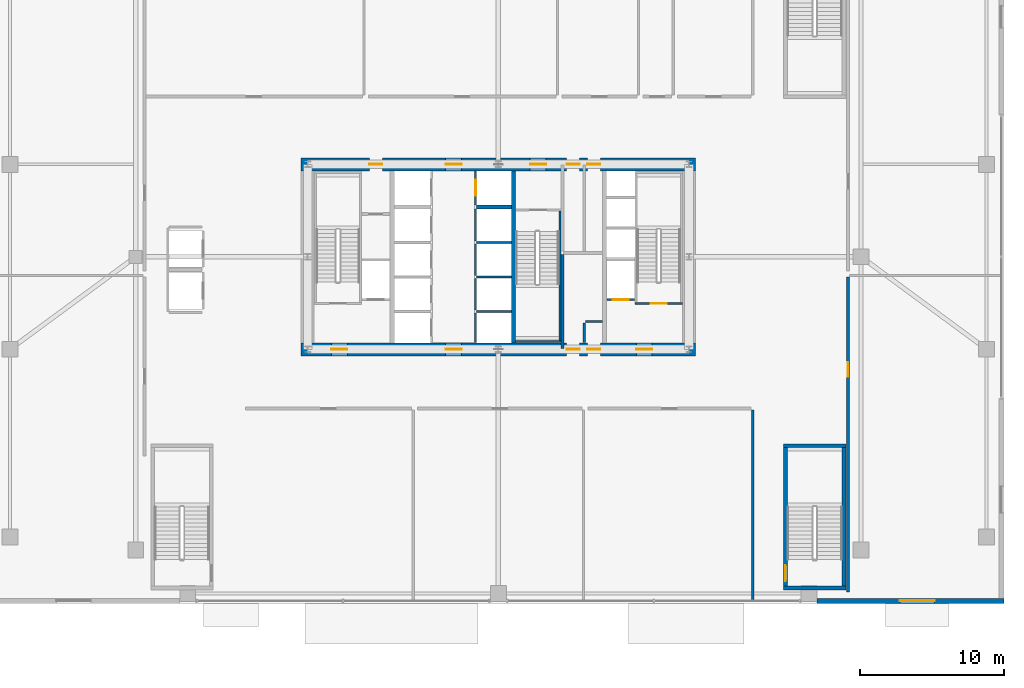
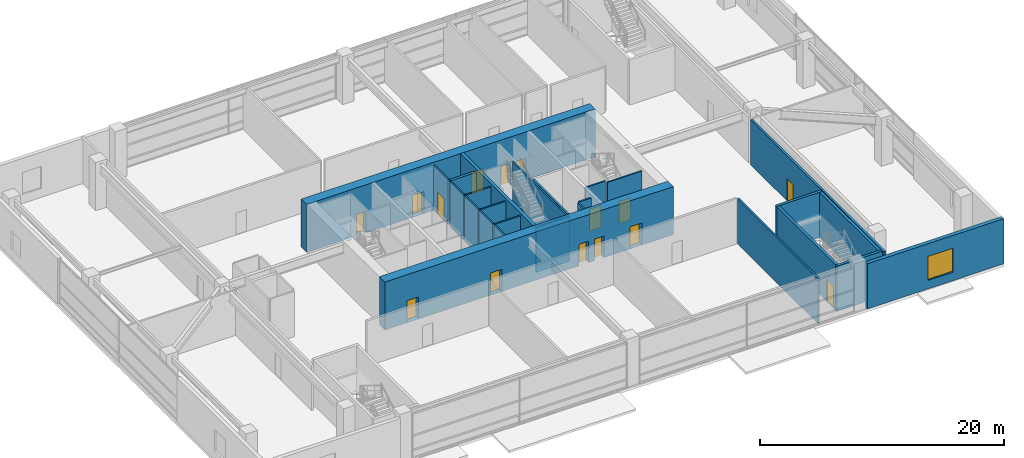
# One storey, part 32 of 37: 26 walls, 15 doors, 1 window, 16 openings.
"""IFC4 building model written with IfcOpenShell, lengths in metres."""

from ifc_helpers import new_model, si_unit, direction, frame, frame_2d, origin, place, context, subcontext, project, spatial, rectangle, extrude, source, transform, mapped, material, layer, layer_set, type_object, element, fill, save


model = new_model("IFC4")

# Units and contexts
model_context = context("Model", 3, precision=1e-05, world=origin(), true_north=direction((0.0, 1.0)))
body_context = subcontext(model_context, "Body", "Model", "MODEL_VIEW")
ifc_project = project(units=[si_unit("LENGTHUNIT", "METRE"), si_unit("AREAUNIT", "SQUARE_METRE"), si_unit("VOLUMEUNIT", "CUBIC_METRE"), si_unit("PLANEANGLEUNIT", "RADIAN"), si_unit("MASSUNIT", "GRAM", prefix="KILO"), si_unit("THERMODYNAMICTEMPERATUREUNIT", "KELVIN"), si_unit("POWERUNIT", "WATT")], contexts=[model_context])

# Site, building, storey
site_placement = place(None, origin())
site = spatial("IfcSite", under=ifc_project, at=site_placement, CompositionType="ELEMENT")
building_placement = place(site_placement, origin())
building = spatial("IfcBuilding", under=site, at=building_placement, Name="Yuzanri Waterfront Tower", CompositionType="ELEMENT")
storey_placement = place(building_placement, frame((0.0, 0.0, 5.39990234375)))
storey = spatial("IfcBuildingStorey", under=building, at=storey_placement, Name="L02", CompositionType="ELEMENT", Elevation=5.39990234375)

# Wall, openings, doors
ifc_material_1 = material(Name="Concrete C60", Category="concrete")
ifc_layer_1 = layer(ifc_material_1, 0.89990234375)
ifc_layer_set_1 = layer_set([ifc_layer_1], Name="Concrete C60")
wall_type_1 = type_object("IfcWallType", Name="Concrete C60 Lower Zone Core Shear Wall 900", PredefinedType="SHEAR", material=ifc_layer_set_1)
wall_1_placement = place(storey_placement, frame((23.35009765625, 19.39990234375, 0.0), z_axis=(0.0, 0.0, 1.0), x_axis=(1.0, 0.0, 0.0)))
wall_1 = element("IfcWall", 1, at=wall_1_placement, inside=storey, type_object=wall_type_1, Name="L02 Core South Shear Wall", PredefinedType="SHEAR", context=body_context, shape_type="SweptSolid", body=[
    extrude(rectangle(XDim=27.2998046875, YDim=0.89990234375, at=frame_2d((13.64990234375, 0.0))), origin(), (0.0, 0.0, 1.0), 4.800048828125),
])
opening_1_placement = place(wall_1_placement, frame((2.10009765625, 0.0, 0.0)))
opening_1 = element("IfcOpeningElement", 2, at=opening_1_placement, cuts=wall_1, Name="Opening FD-1100", PredefinedType="OPENING", context=body_context, shape_type="SweptSolid", body=[
    extrude(rectangle(XDim=1.10009765625, YDim=2.199951171875, at=frame_2d((0.550048828125, 1.10009765625))), frame((0.0, 0.46484375, 0.0), z_axis=(0.0, -1.0, 0.0), x_axis=(1.0, 0.0, 0.0)), (0.0, 0.0, 1.0), 0.9296875),
])
opening_2_placement = place(wall_1_placement, frame((10.0, 0.0, 0.0)))
opening_2 = element("IfcOpeningElement", 3, at=opening_2_placement, cuts=wall_1, Name="Opening FD-1100", PredefinedType="OPENING", context=body_context, shape_type="SweptSolid", body=[
    extrude(rectangle(XDim=1.10009765625, YDim=2.199951171875, at=frame_2d((0.550048828125, 1.10009765625))), frame((0.0, 0.46484375, 0.0), z_axis=(0.0, -1.0, 0.0), x_axis=(1.0, 0.0, 0.0)), (0.0, 0.0, 1.0), 0.9296875),
])
opening_3_placement = place(wall_1_placement, frame((23.199951171875, 0.0, 0.0)))
opening_3 = element("IfcOpeningElement", 4, at=opening_3_placement, cuts=wall_1, Name="Opening FD-1100", PredefinedType="OPENING", context=body_context, shape_type="SweptSolid", body=[
    extrude(rectangle(XDim=1.10009765625, YDim=2.199951171875, at=frame_2d((0.550048828125, 1.10009765625))), frame((0.0, 0.46484375, 0.0), z_axis=(0.0, -1.0, 0.0), x_axis=(1.0, 0.0, 0.0)), (0.0, 0.0, 1.0), 0.9296875),
])
opening_4_placement = place(wall_1_placement, frame((19.820068359375, 0.0, 0.0)))
opening_4 = element("IfcOpeningElement", 5, at=opening_4_placement, cuts=wall_1, Name="Opening FD-0900", PredefinedType="OPENING", context=body_context, shape_type="SweptSolid", body=[
    extrude(rectangle(XDim=0.89990234375, YDim=2.14990234375, at=frame_2d((0.449951171875, 1.074951171875))), frame((0.0, 0.46484375, 0.0), z_axis=(0.0, -1.0, 0.0), x_axis=(1.0, 0.0, 0.0)), (0.0, 0.0, 1.0), 0.9296875),
])
opening_5_placement = place(wall_1_placement, frame((18.3798828125, 0.0, 0.0)))
opening_5 = element("IfcOpeningElement", 6, at=opening_5_placement, cuts=wall_1, Name="Opening FD-0900", PredefinedType="OPENING", context=body_context, shape_type="SweptSolid", body=[
    extrude(rectangle(XDim=0.89990234375, YDim=2.14990234375, at=frame_2d((0.449951171875, 1.074951171875))), frame((0.0, 0.46484375, 0.0), z_axis=(0.0, -1.0, 0.0), x_axis=(1.0, 0.0, 0.0)), (0.0, 0.0, 1.0), 0.9296875),
])
ifc_material_2 = material(Name="Painted Galvanized Fire Steel", Category="steel")
door_type_1 = type_object("IfcDoorType", Name="Smoke-Proof Stair and Lobby Fire Door 1100x2200", OperationType="NOTDEFINED", PredefinedType="DOOR", material=ifc_material_2)
shared_shape_1 = source(origin(), body_context, "Body", "SweptSolid", [
    extrude(rectangle(XDim=1.10009765625, YDim=2.199951171875, at=frame_2d((0.550048828125, 1.10009765625))), frame((0.0, 0.02490234375, 0.0), z_axis=(0.0, -1.0, 0.0), x_axis=(1.0, 0.0, 0.0)), (0.0, 0.0, 1.0), 0.050048828125),
])
door_1_placement = place(opening_1_placement, origin())
door_1 = element("IfcDoor", 7, at=door_1_placement, inside=storey, type_object=door_type_1, Name="L02 West Firefighting Lobby Door", OperationType="SINGLE_SWING_LEFT", OverallHeight=2.199951171875, OverallWidth=1.10009765625, PredefinedType="DOOR", context=body_context, shape_type="MappedRepresentation", body=[
    mapped(shared_shape_1, transform((0.0, 0.0, 0.0), scale=1.0)),
])
fill(opening_1, door_1)
door_2_placement = place(opening_2_placement, origin())
door_2 = element("IfcDoor", 8, at=door_2_placement, inside=storey, type_object=door_type_1, Name="L02 Central Lift Lobby South Door", OperationType="SINGLE_SWING_RIGHT", OverallHeight=2.199951171875, OverallWidth=1.10009765625, PredefinedType="DOOR", context=body_context, shape_type="MappedRepresentation", body=[
    mapped(shared_shape_1, transform((0.0, 0.0, 0.0), scale=1.0)),
])
fill(opening_2, door_2)
door_3_placement = place(opening_3_placement, origin())
door_3 = element("IfcDoor", 9, at=door_3_placement, inside=storey, type_object=door_type_1, Name="L02 East Firefighting Lobby Door", OperationType="SINGLE_SWING_LEFT", OverallHeight=2.199951171875, OverallWidth=1.10009765625, PredefinedType="DOOR", context=body_context, shape_type="MappedRepresentation", body=[
    mapped(shared_shape_1, transform((0.0, 0.0, 0.0), scale=1.0)),
])
fill(opening_3, door_3)
ifc_material_3 = material(Name="Painted Galvanized Fire Steel", Category="steel")
door_type_2 = type_object("IfcDoorType", Name="Riser and Service Room Fire Door 900x2150", OperationType="NOTDEFINED", PredefinedType="DOOR", material=ifc_material_3)
shared_shape_2 = source(origin(), body_context, "Body", "SweptSolid", [
    extrude(rectangle(XDim=0.89990234375, YDim=2.14990234375, at=frame_2d((0.449951171875, 1.074951171875))), frame((0.0, 0.02490234375, 0.0), z_axis=(0.0, -1.0, 0.0), x_axis=(1.0, 0.0, 0.0)), (0.0, 0.0, 1.0), 0.050048828125),
])
door_4_placement = place(opening_4_placement, origin())
door_4 = element("IfcDoor", 10, at=door_4_placement, inside=storey, type_object=door_type_2, Name="L02 East Wet Riser Door", OperationType="SINGLE_SWING_RIGHT", OverallHeight=2.14990234375, OverallWidth=0.89990234375, PredefinedType="DOOR", context=body_context, shape_type="MappedRepresentation", body=[
    mapped(shared_shape_2, transform((0.0, 0.0, 0.0), scale=1.0)),
])
fill(opening_4, door_4)
door_5_placement = place(opening_5_placement, origin())
door_5 = element("IfcDoor", 11, at=door_5_placement, inside=storey, type_object=door_type_2, Name="L02 Cleaners Store Room", OperationType="SINGLE_SWING_LEFT", OverallHeight=2.14990234375, OverallWidth=0.89990234375, PredefinedType="DOOR", context=body_context, shape_type="MappedRepresentation", body=[
    mapped(shared_shape_2, transform((0.0, 0.0, 0.0), scale=1.0)),
])
fill(opening_5, door_5)

wall_2_placement = place(storey_placement, frame((23.35009765625, 32.199951171875, 0.0), z_axis=(0.0, 0.0, 1.0), x_axis=(1.0, 0.0, 0.0)))
wall_2 = element("IfcWall", 12, at=wall_2_placement, inside=storey, type_object=wall_type_1, Name="L02 Core North Shear Wall", PredefinedType="SHEAR", context=body_context, shape_type="SweptSolid", body=[
    extrude(rectangle(XDim=27.2998046875, YDim=0.89990234375, at=frame_2d((13.64990234375, 0.0))), origin(), (0.0, 0.0, 1.0), 4.800048828125),
])
opening_6_placement = place(wall_2_placement, frame((4.719970703125, 0.0, 0.0)))
opening_6 = element("IfcOpeningElement", 13, at=opening_6_placement, cuts=wall_2, Name="Opening FD-0900", PredefinedType="OPENING", context=body_context, shape_type="SweptSolid", body=[
    extrude(rectangle(XDim=0.89990234375, YDim=2.14990234375, at=frame_2d((0.449951171875, 1.074951171875))), frame((0.0, 0.46484375, 0.0), z_axis=(0.0, -1.0, 0.0), x_axis=(1.0, 0.0, 0.0)), (0.0, 0.0, 1.0), 0.9296875),
])
opening_7_placement = place(wall_2_placement, frame((10.0, 0.0, 0.0)))
opening_7 = element("IfcOpeningElement", 14, at=opening_7_placement, cuts=wall_2, Name="Opening FD-1100", PredefinedType="OPENING", context=body_context, shape_type="SweptSolid", body=[
    extrude(rectangle(XDim=1.10009765625, YDim=2.199951171875, at=frame_2d((0.550048828125, 1.10009765625))), frame((0.0, 0.46484375, 0.0), z_axis=(0.0, -1.0, 0.0), x_axis=(1.0, 0.0, 0.0)), (0.0, 0.0, 1.0), 0.9296875),
])
opening_8_placement = place(wall_2_placement, frame((15.85009765625, 0.0, 0.0)))
opening_8 = element("IfcOpeningElement", 15, at=opening_8_placement, cuts=wall_2, Name="Opening FD-1100", PredefinedType="OPENING", context=body_context, shape_type="SweptSolid", body=[
    extrude(rectangle(XDim=1.10009765625, YDim=2.199951171875, at=frame_2d((0.550048828125, 1.10009765625))), frame((0.0, 0.46484375, 0.0), z_axis=(0.0, -1.0, 0.0), x_axis=(1.0, 0.0, 0.0)), (0.0, 0.0, 1.0), 0.9296875),
])
opening_9_placement = place(wall_2_placement, frame((18.3798828125, 0.0, 0.0)))
opening_9 = element("IfcOpeningElement", 16, at=opening_9_placement, cuts=wall_2, Name="Opening FD-0900", PredefinedType="OPENING", context=body_context, shape_type="SweptSolid", body=[
    extrude(rectangle(XDim=0.89990234375, YDim=2.14990234375, at=frame_2d((0.449951171875, 1.074951171875))), frame((0.0, 0.46484375, 0.0), z_axis=(0.0, -1.0, 0.0), x_axis=(1.0, 0.0, 0.0)), (0.0, 0.0, 1.0), 0.9296875),
])
opening_10_placement = place(wall_2_placement, frame((19.820068359375, 0.0, 0.0)))
opening_10 = element("IfcOpeningElement", 17, at=opening_10_placement, cuts=wall_2, Name="Opening FD-0900", PredefinedType="OPENING", context=body_context, shape_type="SweptSolid", body=[
    extrude(rectangle(XDim=0.89990234375, YDim=2.14990234375, at=frame_2d((0.449951171875, 1.074951171875))), frame((0.0, 0.46484375, 0.0), z_axis=(0.0, -1.0, 0.0), x_axis=(1.0, 0.0, 0.0)), (0.0, 0.0, 1.0), 0.9296875),
])
door_6_placement = place(opening_7_placement, origin())
door_6 = element("IfcDoor", 18, at=door_6_placement, inside=storey, type_object=door_type_1, Name="L02 Central Lift Lobby North Door", OperationType="SINGLE_SWING_LEFT", OverallHeight=2.199951171875, OverallWidth=1.10009765625, PredefinedType="DOOR", context=body_context, shape_type="MappedRepresentation", body=[
    mapped(shared_shape_1, transform((0.0, 0.0, 0.0), scale=1.0)),
])
fill(opening_7, door_6)
door_7_placement = place(opening_8_placement, origin())
door_7 = element("IfcDoor", 19, at=door_7_placement, inside=storey, type_object=door_type_1, Name="L02 North Stair Lobby Door", OperationType="SINGLE_SWING_RIGHT", OverallHeight=2.199951171875, OverallWidth=1.10009765625, PredefinedType="DOOR", context=body_context, shape_type="MappedRepresentation", body=[
    mapped(shared_shape_1, transform((0.0, 0.0, 0.0), scale=1.0)),
])
fill(opening_8, door_7)
door_8_placement = place(opening_6_placement, origin())
door_8 = element("IfcDoor", 20, at=door_8_placement, inside=storey, type_object=door_type_2, Name="L02 Telecom Riser Door", OperationType="SINGLE_SWING_RIGHT", OverallHeight=2.14990234375, OverallWidth=0.89990234375, PredefinedType="DOOR", context=body_context, shape_type="MappedRepresentation", body=[
    mapped(shared_shape_2, transform((0.0, 0.0, 0.0), scale=1.0)),
])
fill(opening_6, door_8)
door_9_placement = place(opening_9_placement, origin())
door_9 = element("IfcDoor", 21, at=door_9_placement, inside=storey, type_object=door_type_2, Name="L02 Common Store Room", OperationType="SINGLE_SWING_RIGHT", OverallHeight=2.14990234375, OverallWidth=0.89990234375, PredefinedType="DOOR", context=body_context, shape_type="MappedRepresentation", body=[
    mapped(shared_shape_2, transform((0.0, 0.0, 0.0), scale=1.0)),
])
fill(opening_9, door_9)
door_10_placement = place(opening_10_placement, origin())
door_10 = element("IfcDoor", 22, at=door_10_placement, inside=storey, type_object=door_type_2, Name="L02 Linen Store Room", OperationType="SINGLE_SWING_LEFT", OverallHeight=2.14990234375, OverallWidth=0.89990234375, PredefinedType="DOOR", context=body_context, shape_type="MappedRepresentation", body=[
    mapped(shared_shape_2, transform((0.0, 0.0, 0.0), scale=1.0)),
])
fill(opening_10, door_10)

# Wall, opening, door
ifc_material_4 = material(Name="Concrete C40", Category="concrete")
ifc_layer_2 = layer(ifc_material_4, 0.139892578125)
ifc_layer_set_2 = layer_set([ifc_layer_2], Name="Concrete C40")
wall_type_2 = type_object("IfcWallType", Name="Core Stair Liner and Hoistway Shaft Wall 140", PredefinedType="SOLIDWALL", material=ifc_layer_set_2)
wall_3_placement = place(storey_placement, frame((44.52001953125, 22.830078125, 0.0), z_axis=(0.0, 0.0, 1.0), x_axis=(1.0, 0.0, 0.0)))
wall_3 = element("IfcWall", 23, at=wall_3_placement, inside=storey, type_object=wall_type_2, Name="L02 Lift FL-02 Front Shaft Wall", PredefinedType="SOLIDWALL", context=body_context, shape_type="SweptSolid", body=[
    extrude(rectangle(XDim=1.919921875, YDim=0.139892578125, at=frame_2d((0.9599609375, 0.0))), origin(), (0.0, 0.0, 1.0), 4.52001953125),
])
opening_11_placement = place(wall_3_placement, frame((0.409912109375, 0.0, 0.0)))
opening_11 = element("IfcOpeningElement", 24, at=opening_11_placement, cuts=wall_3, Name="Opening LD-FL-02", PredefinedType="OPENING", context=body_context, shape_type="SweptSolid", body=[
    extrude(rectangle(XDim=1.10009765625, YDim=2.199951171875, at=frame_2d((0.550048828125, 1.10009765625))), frame((0.0, 0.0849609375, 0.0), z_axis=(0.0, -1.0, 0.0), x_axis=(1.0, 0.0, 0.0)), (0.0, 0.0, 1.0), 0.169677734375),
])
ifc_material_5 = material(Name="Brushed Bronze and Stainless Steel Cab", Category="steel")
door_type_3 = type_object("IfcDoorType", Name="Center-Parting Bronze Lift Landing Sliding Door 1100x2200", OperationType="NOTDEFINED", PredefinedType="DOOR", material=ifc_material_5)
shared_shape_3 = source(origin(), body_context, "Body", "SweptSolid", [
    extrude(rectangle(XDim=1.10009765625, YDim=2.199951171875, at=frame_2d((0.550048828125, 1.10009765625))), frame((0.0, 0.02490234375, 0.0), z_axis=(0.0, -1.0, 0.0), x_axis=(1.0, 0.0, 0.0)), (0.0, 0.0, 1.0), 0.050048828125),
])
door_11_placement = place(opening_11_placement, origin())
door_11 = element("IfcDoor", 25, at=door_11_placement, inside=storey, type_object=door_type_3, Name="L02 FL-02 Lift Landing Sliding Door", OperationType="SLIDING_TO_RIGHT", OverallHeight=2.199951171875, OverallWidth=1.10009765625, PredefinedType="DOOR", context=body_context, shape_type="MappedRepresentation", body=[
    mapped(shared_shape_3, transform((0.0, 0.0, 0.0), scale=1.0)),
])
fill(opening_11, door_11)

wall_4_placement = place(storey_placement, frame((35.429931640625, 29.39990234375, 0.0), z_axis=(0.0, 0.0, 1.0), x_axis=(0.0, 1.0, 0.0)))
wall_4 = element("IfcWall", 26, at=wall_4_placement, inside=storey, type_object=wall_type_2, Name="L02 Lift SL-02 Front Shaft Wall", PredefinedType="SOLIDWALL", context=body_context, shape_type="SweptSolid", body=[
    extrude(rectangle(XDim=2.340087890625, YDim=0.139892578125, at=frame_2d((1.169921875, 0.0))), origin(), (0.0, 0.0, 1.0), 4.52001953125),
])
opening_12_placement = place(wall_4_placement, frame((0.6201171875, 0.0, 0.0)))
opening_12 = element("IfcOpeningElement", 27, at=opening_12_placement, cuts=wall_4, Name="Opening LD-SL-02", PredefinedType="OPENING", context=body_context, shape_type="SweptSolid", body=[
    extrude(rectangle(XDim=1.10009765625, YDim=2.199951171875, at=frame_2d((0.550048828125, 1.10009765625))), frame((0.0, 0.0849609375, 0.0), z_axis=(0.0, -1.0, 0.0), x_axis=(1.0, 0.0, 0.0)), (0.0, 0.0, 1.0), 0.169677734375),
])
door_12_placement = place(opening_12_placement, origin())
door_12 = element("IfcDoor", 28, at=door_12_placement, inside=storey, type_object=door_type_3, Name="L02 SL-02 Lift Landing Sliding Door", OperationType="SLIDING_TO_RIGHT", OverallHeight=2.199951171875, OverallWidth=1.10009765625, PredefinedType="DOOR", context=body_context, shape_type="MappedRepresentation", body=[
    mapped(shared_shape_3, transform((0.0, 0.0, 0.0), scale=1.0)),
])
fill(opening_12, door_12)

wall_5_placement = place(storey_placement, frame((46.4599609375, 22.570068359375, 0.0), z_axis=(0.0, 0.0, 1.0), x_axis=(1.0, 0.0, 0.0)))
wall_5 = element("IfcWall", 29, at=wall_5_placement, inside=storey, type_object=wall_type_2, Name="L02 Shaft Wall STW-L02-ST-02-S", PredefinedType="SOLIDWALL", context=body_context, shape_type="SweptSolid", body=[
    extrude(rectangle(XDim=3.280029296875, YDim=0.139892578125, at=frame_2d((1.64013671875, 0.0))), origin(), (0.0, 0.0, 1.0), 4.52001953125),
])
opening_13_placement = place(wall_5_placement, frame((1.090087890625, 0.0, 0.0)))
opening_13 = element("IfcOpeningElement", 30, at=opening_13_placement, cuts=wall_5, Name="Opening FD-1100", PredefinedType="OPENING", context=body_context, shape_type="SweptSolid", body=[
    extrude(rectangle(XDim=1.10009765625, YDim=2.199951171875, at=frame_2d((0.550048828125, 1.10009765625))), frame((0.0, 0.0849609375, 0.0), z_axis=(0.0, -1.0, 0.0), x_axis=(1.0, 0.0, 0.0)), (0.0, 0.0, 1.0), 0.169677734375),
])
door_13_placement = place(opening_13_placement, origin())
door_13 = element("IfcDoor", 31, at=door_13_placement, inside=storey, type_object=door_type_1, Name="L02 Stair ST-02 Fire Door", OperationType="SINGLE_SWING_RIGHT", OverallHeight=2.199951171875, OverallWidth=1.10009765625, PredefinedType="DOOR", context=body_context, shape_type="MappedRepresentation", body=[
    mapped(shared_shape_1, transform((0.0, 0.0, 0.0), scale=1.0)),
])
fill(opening_13, door_13)

ifc_material_6 = material(Name="Autoclaved Aerated Concrete Blockwork", Category="masonry")
ifc_layer_3 = layer(ifc_material_6, 0.199951171875)
ifc_layer_set_3 = layer_set([ifc_layer_3], Name="Autoclaved Aerated Concrete Blockwork")
wall_type_3 = type_object("IfcWallType", Name="Corridor and Unit Party Fire Wall 200", PredefinedType="PARTITIONING", material=ifc_layer_set_3)
wall_6_placement = place(storey_placement, frame((61.199951171875, 2.60009765625, 0.0), z_axis=(0.0, 0.0, 1.0), x_axis=(0.0, 1.0, 0.0)))
wall_6 = element("IfcWall", 32, at=wall_6_placement, inside=storey, type_object=wall_type_3, Name="L02 Partition PRW-L02-032-W", PredefinedType="PARTITIONING", context=body_context, shape_type="SweptSolid", body=[
    extrude(rectangle(XDim=21.7998046875, YDim=0.199951171875, at=frame_2d((10.89990234375, 0.0))), origin(), (0.0, 0.0, 1.0), 4.52001953125),
])
opening_14_placement = place(wall_6_placement, frame((14.89990234375, 0.0, 0.0)))
opening_14 = element("IfcOpeningElement", 33, at=opening_14_placement, cuts=wall_6, Name="Opening FD-1000", PredefinedType="OPENING", context=body_context, shape_type="SweptSolid", body=[
    extrude(rectangle(XDim=1.0, YDim=2.199951171875, at=frame_2d((0.5, 1.10009765625))), frame((0.0, 0.11474609375, 0.0), z_axis=(0.0, -1.0, 0.0), x_axis=(1.0, 0.0, 0.0)), (0.0, 0.0, 1.0), 0.229736328125),
])
ifc_material_7 = material(Name="Engineered Oak Fire-Rated Timber", Category="wood")
door_type_4 = type_object("IfcDoorType", Name="Guestroom and Apartment Entrance Fire Door 1000x2200", OperationType="NOTDEFINED", PredefinedType="DOOR", material=ifc_material_7)
shared_shape_4 = source(origin(), body_context, "Body", "SweptSolid", [
    extrude(rectangle(XDim=1.0, YDim=2.199951171875, at=frame_2d((0.5, 1.10009765625))), frame((0.0, 0.02490234375, 0.0), z_axis=(0.0, -1.0, 0.0), x_axis=(1.0, 0.0, 0.0)), (0.0, 0.0, 1.0), 0.050048828125),
])
door_14_placement = place(opening_14_placement, origin())
door_14 = element("IfcDoor", 34, at=door_14_placement, inside=storey, type_object=door_type_4, Name="L02 East Waterfront Design Gallery", OperationType="SINGLE_SWING_LEFT", OverallHeight=2.199951171875, OverallWidth=1.0, PredefinedType="DOOR", context=body_context, shape_type="MappedRepresentation", body=[
    mapped(shared_shape_4, transform((0.0, 0.0, 0.0), scale=1.0)),
])
fill(opening_14, door_14)

# Wall, opening, window
ifc_material_8 = material(Name="Honed Chongqing Dark Basalt Stone", Category="masonry")
ifc_layer_4 = layer(ifc_material_8, 0.360107421875)
ifc_layer_set_4 = layer_set([ifc_layer_4], Name="Honed Chongqing Dark Basalt Stone")
wall_type_4 = type_object("IfcWallType", Name="Honed Basalt Stone Masonry-Frame Spandrel Wall 360", PredefinedType="SOLIDWALL", material=ifc_layer_set_4)
wall_7_placement = place(storey_placement, frame((59.070068359375, 1.97998046875, 0.0), z_axis=(0.0, 0.0, 1.0), x_axis=(1.0, 0.0, 0.0)))
wall_7 = element("IfcWall", 35, at=wall_7_placement, inside=storey, type_object=wall_type_4, Name="L02 South-East Basalt Pier", PredefinedType="SOLIDWALL", context=body_context, shape_type="SweptSolid", body=[
    extrude(rectangle(XDim=12.929931640625, YDim=0.360107421875, at=frame_2d((6.46484375, 0.0))), origin(), (0.0, 0.0, 1.0), 4.52001953125),
])
opening_15_placement = place(wall_7_placement, frame((5.72998046875, 0.0, 0.85009765625)))
opening_15 = element("IfcOpeningElement", 36, at=opening_15_placement, cuts=wall_7, Name="Opening WN-03", PredefinedType="OPENING", context=body_context, shape_type="SweptSolid", body=[
    extrude(rectangle(XDim=2.39990234375, YDim=2.39990234375, at=frame_2d((1.199951171875, 1.199951171875))), frame((0.0, 0.19482421875, 0.0), z_axis=(0.0, -1.0, 0.0), x_axis=(1.0, 0.0, 0.0)), (0.0, 0.0, 1.0), 0.389892578125),
])
ifc_material_9 = material(Name="Double-Silver Low-E Insulated Glass", Category="glass")
window_type = type_object("IfcWindowType", Name="Anodized Bronze Podium Waterfront Picture Window 2400x2400", PartitioningType="SINGLE_PANEL", PredefinedType="WINDOW", material=ifc_material_9)
shared_shape_5 = source(origin(), body_context, "Body", "SweptSolid", [
    extrude(rectangle(XDim=2.39990234375, YDim=2.39990234375, at=frame_2d((1.199951171875, 1.199951171875))), frame((0.0, 0.030029296875, 0.0), z_axis=(0.0, -1.0, 0.0), x_axis=(1.0, 0.0, 0.0)), (0.0, 0.0, 1.0), 0.06005859375),
])
window_placement = place(opening_15_placement, origin())
window = element("IfcWindow", 37, at=window_placement, inside=storey, type_object=window_type, Name="L02 SE Waterfront Window", OverallHeight=2.39990234375, OverallWidth=2.39990234375, PartitioningType="SINGLE_PANEL", PredefinedType="WINDOW", context=body_context, shape_type="MappedRepresentation", body=[
    mapped(shared_shape_5, transform((0.0, 0.0, 0.0), scale=1.0)),
])
fill(opening_15, window)

# Wall, opening, door
ifc_material_10 = material(Name="Concrete C40", Category="concrete")
ifc_layer_5 = layer(ifc_material_10, 0.25)
ifc_layer_set_5 = layer_set([ifc_layer_5], Name="Concrete C40")
wall_type_5 = type_object("IfcWallType", Name="Smoke-Proof Stair and Lift Shaft Wall 250", PredefinedType="SOLIDWALL", material=ifc_layer_set_5)
wall_8_placement = place(storey_placement, frame((56.875, 3.0, 0.0), z_axis=(0.0, 0.0, 1.0), x_axis=(0.0, 1.0, 0.0)))
wall_8 = element("IfcWall", 38, at=wall_8_placement, inside=storey, type_object=wall_type_5, Name="L02 Shaft Wall PSTW-L02-PST-02-W", PredefinedType="SOLIDWALL", context=body_context, shape_type="SweptSolid", body=[
    extrude(rectangle(XDim=9.60009765625, YDim=0.25, at=frame_2d((4.800048828125, 0.0))), origin(), (0.0, 0.0, 1.0), 4.52001953125),
])
opening_16_placement = place(wall_8_placement, frame((0.35009765625, 0.0, 0.0)))
opening_16 = element("IfcOpeningElement", 39, at=opening_16_placement, cuts=wall_8, Name="Opening FD-1100", PredefinedType="OPENING", context=body_context, shape_type="SweptSolid", body=[
    extrude(rectangle(XDim=1.10009765625, YDim=2.199951171875, at=frame_2d((0.550048828125, 1.10009765625))), frame((0.0, 0.139892578125, 0.0), z_axis=(0.0, -1.0, 0.0), x_axis=(1.0, 0.0, 0.0)), (0.0, 0.0, 1.0), 0.27978515625),
])
door_15_placement = place(opening_16_placement, origin())
door_15 = element("IfcDoor", 40, at=door_15_placement, inside=storey, type_object=door_type_1, Name="L02 PST-02 Stair Door", OperationType="SINGLE_SWING_LEFT", OverallHeight=2.199951171875, OverallWidth=1.10009765625, PredefinedType="DOOR", context=body_context, shape_type="MappedRepresentation", body=[
    mapped(shared_shape_1, transform((0.0, 0.0, 0.0), scale=1.0)),
])
fill(opening_16, door_15)

# Walls
ifc_material_11 = material(Name="Concrete C50", Category="concrete")
ifc_layer_6 = layer(ifc_material_11, 0.300048828125)
ifc_layer_set_6 = layer_set([ifc_layer_6], Name="Concrete C50")
wall_type_6 = type_object("IfcWallType", Name="Concrete C50 Internal Core Shaft Structural Wall 300", PredefinedType="SOLIDWALL", material=ifc_layer_set_6)
shared_shape_6 = source(origin(), body_context, "Body", "SweptSolid", [
    extrude(rectangle(XDim=11.89990234375, YDim=0.300048828125, at=frame_2d((5.949951171875, 0.0))), origin(), (0.0, 0.0, 1.0), 4.800048828125),
])
wall_9_placement = place(storey_placement, frame((38.050048828125, 19.85009765625, 0.0), z_axis=(0.0, 0.0, 1.0), x_axis=(0.0, 1.0, 0.0)))
element("IfcWall", 41, at=wall_9_placement, inside=storey, type_object=wall_type_6, Name="L02 Core Internal Structural Web Wall 2", PredefinedType="SOLIDWALL", context=body_context, shape_type="MappedRepresentation", body=[
    mapped(shared_shape_6, transform((0.0, 0.0, 0.0), scale=1.0)),
])
shared_shape_7 = source(origin(), body_context, "Body", "SweptSolid", [
    extrude(rectangle(XDim=2.039794921875, YDim=0.139892578125, at=frame_2d((1.02001953125, 0.0))), origin(), (0.0, 0.0, 1.0), 4.52001953125),
])
wall_10_placement = place(storey_placement, frame((35.429931640625, 19.860107421875, 0.0), z_axis=(0.0, 0.0, 1.0), x_axis=(0.0, 1.0, 0.0)))
element("IfcWall", 42, at=wall_10_placement, inside=storey, type_object=wall_type_2, Name="L02 Lift PL-05 Front Shaft Wall", PredefinedType="SOLIDWALL", context=body_context, shape_type="MappedRepresentation", body=[
    mapped(shared_shape_7, transform((0.0, 0.0, 0.0), scale=1.0)),
])
shared_shape_8 = source(origin(), body_context, "Body", "SweptSolid", [
    extrude(rectangle(XDim=2.199951171875, YDim=0.139892578125, at=frame_2d((1.10009765625, 0.0))), origin(), (0.0, 0.0, 1.0), 4.52001953125),
])
for number, where, z_axis, x_axis, name in (
    (43, (35.429931640625, 22.10009765625, 0.0), (0.0, 0.0, 1.0), (0.0, 1.0, 0.0), "L02 Lift PL-06 Front Shaft Wall"),
    (44, (35.429931640625, 24.5, 0.0), (0.0, 0.0, 1.0), (0.0, 1.0, 0.0), "L02 Lift PL-07 Front Shaft Wall"),
):
    element("IfcWall", number, at=place(storey_placement, frame(where, z_axis=z_axis, x_axis=x_axis)), inside=storey, type_object=wall_type_2, Name=name, PredefinedType="SOLIDWALL", context=body_context, shape_type="MappedRepresentation", body=[
        mapped(shared_shape_8, transform((0.0, 0.0, 0.0), scale=1.0)),
    ])
shared_shape_9 = source(origin(), body_context, "Body", "SweptSolid", [
    extrude(rectangle(XDim=2.2001953125, YDim=0.139892578125, at=frame_2d((1.10009765625, 0.0))), origin(), (0.0, 0.0, 1.0), 4.52001953125),
])
wall_11_placement = place(storey_placement, frame((35.429931640625, 26.89990234375, 0.0), z_axis=(0.0, 0.0, 1.0), x_axis=(0.0, 1.0, 0.0)))
element("IfcWall", 45, at=wall_11_placement, inside=storey, type_object=wall_type_2, Name="L02 Lift PL-08 Front Shaft Wall", PredefinedType="SOLIDWALL", context=body_context, shape_type="MappedRepresentation", body=[
    mapped(shared_shape_9, transform((0.0, 0.0, 0.0), scale=1.0)),
])
shared_shape_10 = source(origin(), body_context, "Body", "SweptSolid", [
    extrude(rectangle(XDim=2.39990234375, YDim=0.139892578125, at=frame_2d((1.199951171875, 0.0))), origin(), (0.0, 0.0, 1.0), 4.52001953125),
])
for number, where, z_axis, x_axis, name in (
    (46, (35.5, 22.0, 0.0), (0.0, 0.0, 1.0), (1.0, 0.0, 0.0), "L02 Lift PL-05 Divider Wall"),
    (47, (35.5, 24.39990234375, 0.0), (0.0, 0.0, 1.0), (1.0, 0.0, 0.0), "L02 Lift PL-06 Divider Wall"),
    (48, (35.5, 26.800048828125, 0.0), (0.0, 0.0, 1.0), (1.0, 0.0, 0.0), "L02 Lift PL-07 Divider Wall"),
):
    element("IfcWall", number, at=place(storey_placement, frame(where, z_axis=z_axis, x_axis=x_axis)), inside=storey, type_object=wall_type_2, Name=name, PredefinedType="SOLIDWALL", context=body_context, shape_type="MappedRepresentation", body=[
        mapped(shared_shape_10, transform((0.0, 0.0, 0.0), scale=1.0)),
    ])
shared_shape_11 = source(origin(), body_context, "Body", "SweptSolid", [
    extrude(rectangle(XDim=2.39990234375, YDim=0.25, at=frame_2d((1.199951171875, 0.0))), origin(), (0.0, 0.0, 1.0), 4.52001953125),
])
wall_12_placement = place(storey_placement, frame((35.5, 29.25, 0.0), z_axis=(0.0, 0.0, 1.0), x_axis=(1.0, 0.0, 0.0)))
element("IfcWall", 49, at=wall_12_placement, inside=storey, type_object=wall_type_5, Name="L02 Lift SL-02 South Shaft Wall", PredefinedType="SOLIDWALL", context=body_context, shape_type="MappedRepresentation", body=[
    mapped(shared_shape_11, transform((0.0, 0.0, 0.0), scale=1.0)),
])
shared_shape_12 = source(origin(), body_context, "Body", "SweptSolid", [
    extrude(rectangle(XDim=3.14013671875, YDim=0.139892578125, at=frame_2d((1.570068359375, 0.0))), origin(), (0.0, 0.0, 1.0), 4.52001953125),
])
wall_13_placement = place(storey_placement, frame((38.199951171875, 19.949951171875, 0.0), z_axis=(0.0, 0.0, 1.0), x_axis=(1.0, 0.0, 0.0)))
element("IfcWall", 50, at=wall_13_placement, inside=storey, type_object=wall_type_2, Name="L02 Stair ST-03 South Shaft Wall", PredefinedType="SOLIDWALL", context=body_context, shape_type="MappedRepresentation", body=[
    mapped(shared_shape_12, transform((0.0, 0.0, 0.0), scale=1.0)),
])
shared_shape_13 = source(origin(), body_context, "Body", "SweptSolid", [
    extrude(rectangle(XDim=8.93994140625, YDim=0.139892578125, at=frame_2d((4.469970703125, 0.0))), origin(), (0.0, 0.0, 1.0), 4.52001953125),
])
wall_14_placement = place(storey_placement, frame((41.27001953125, 20.02001953125, 0.0), z_axis=(0.0, 0.0, 1.0), x_axis=(0.0, 1.0, 0.0)))
element("IfcWall", 51, at=wall_14_placement, inside=storey, type_object=wall_type_2, Name="L02 Stair ST-03 East Shaft Wall", PredefinedType="SOLIDWALL", context=body_context, shape_type="MappedRepresentation", body=[
    mapped(shared_shape_13, transform((0.0, 0.0, 0.0), scale=1.0)),
])
shared_shape_14 = source(origin(), body_context, "Body", "SweptSolid", [
    extrude(rectangle(XDim=4.300048828125, YDim=0.25, at=frame_2d((2.14990234375, 0.0))), origin(), (0.0, 0.0, 1.0), 4.52001953125),
])
for number, where, z_axis, x_axis, name in (
    (52, (56.75, 2.875, 0.0), (0.0, 0.0, 1.0), (1.0, 0.0, 0.0), "L02 PST-02 South Wall"),
    (53, (56.75, 12.72509765625, 0.0), (0.0, 0.0, 1.0), (1.0, 0.0, 0.0), "L02 PST-02 North Wall"),
):
    element("IfcWall", number, at=place(storey_placement, frame(where, z_axis=z_axis, x_axis=x_axis)), inside=storey, type_object=wall_type_5, Name=name, PredefinedType="SOLIDWALL", context=body_context, shape_type="MappedRepresentation", body=[
        mapped(shared_shape_14, transform((0.0, 0.0, 0.0), scale=1.0)),
    ])
shared_shape_15 = source(origin(), body_context, "Body", "SweptSolid", [
    extrude(rectangle(XDim=9.60009765625, YDim=0.25, at=frame_2d((4.800048828125, 0.0))), origin(), (0.0, 0.0, 1.0), 4.52001953125),
])
wall_15_placement = place(storey_placement, frame((60.925048828125, 3.0, 0.0), z_axis=(0.0, 0.0, 1.0), x_axis=(0.0, 1.0, 0.0)))
element("IfcWall", 54, at=wall_15_placement, inside=storey, type_object=wall_type_5, Name="L02 Shaft Wall PSTW-L02-PST-02-E", PredefinedType="SOLIDWALL", context=body_context, shape_type="MappedRepresentation", body=[
    mapped(shared_shape_15, transform((0.0, 0.0, 0.0), scale=1.0)),
])
ifc_material_12 = material(Name="Gypsum Fireboard Acoustic Stud Wall", Category="gypsum")
ifc_layer_7 = layer(ifc_material_12, 0.159912109375)
ifc_layer_set_7 = layer_set([ifc_layer_7], Name="Gypsum Fireboard Acoustic Stud Wall")
wall_type_7 = type_object("IfcWallType", Name="Acoustic Suite Demising Partition 160", PredefinedType="PARTITIONING", material=ifc_layer_set_7)
shared_shape_16 = source(origin(), body_context, "Body", "SweptSolid", [
    extrude(rectangle(XDim=1.33984375, YDim=0.159912109375, at=frame_2d((0.669921875, 0.0))), origin(), (0.0, 0.0, 1.0), 4.52001953125),
])
wall_16_placement = place(storey_placement, frame((42.949951171875, 19.860107421875, 0.0), z_axis=(0.0, 0.0, 1.0), x_axis=(0.0, 1.0, 0.0)))
element("IfcWall", 55, at=wall_16_placement, inside=storey, type_object=wall_type_7, Name="L02 East Wet Riser West Wall", PredefinedType="PARTITIONING", context=body_context, shape_type="MappedRepresentation", body=[
    mapped(shared_shape_16, transform((0.0, 0.0, 0.0), scale=1.0)),
])
shared_shape_17 = source(origin(), body_context, "Body", "SweptSolid", [
    extrude(rectangle(XDim=1.169921875, YDim=0.159912109375, at=frame_2d((0.5849609375, 0.0))), origin(), (0.0, 0.0, 1.0), 4.52001953125),
])
wall_17_placement = place(storey_placement, frame((43.030029296875, 21.320068359375, 0.0), z_axis=(0.0, 0.0, 1.0), x_axis=(1.0, 0.0, 0.0)))
element("IfcWall", 56, at=wall_17_placement, inside=storey, type_object=wall_type_7, Name="L02 East Wet Riser North Wall", PredefinedType="PARTITIONING", context=body_context, shape_type="MappedRepresentation", body=[
    mapped(shared_shape_17, transform((0.0, 0.0, 0.0), scale=1.0)),
])
shared_shape_18 = source(origin(), body_context, "Body", "SweptSolid", [
    extrude(rectangle(XDim=6.510009765625, YDim=0.199951171875, at=frame_2d((3.2548828125, 0.0))), origin(), (0.0, 0.0, 1.0), 4.52001953125),
])
wall_18_placement = place(storey_placement, frame((41.449951171875, 19.43994140625, 0.0), z_axis=(0.0, 0.0, 1.0), x_axis=(0.0, 1.0, 0.0)))
element("IfcWall", 57, at=wall_18_placement, inside=storey, type_object=wall_type_3, Name="L02 Core BOH West Wall 1", PredefinedType="PARTITIONING", context=body_context, shape_type="MappedRepresentation", body=[
    mapped(shared_shape_18, transform((0.0, 0.0, 0.0), scale=1.0)),
])
shared_shape_19 = source(origin(), body_context, "Body", "SweptSolid", [
    extrude(rectangle(XDim=13.219970703125, YDim=0.159912109375, at=frame_2d((6.60986328125, 0.0))), origin(), (0.0, 0.0, 1.0), 4.52001953125),
])
wall_19_placement = place(storey_placement, frame((54.60009765625, 1.97998046875, 0.0), z_axis=(0.0, 0.0, 1.0), x_axis=(0.0, 1.0, 0.0)))
element("IfcWall", 58, at=wall_19_placement, inside=storey, type_object=wall_type_7, Name="L02-031 Demising Wall", PredefinedType="PARTITIONING", context=body_context, shape_type="MappedRepresentation", body=[
    mapped(shared_shape_19, transform((0.0, 0.0, 0.0), scale=1.0)),
])

save(model, "model.ifc")
